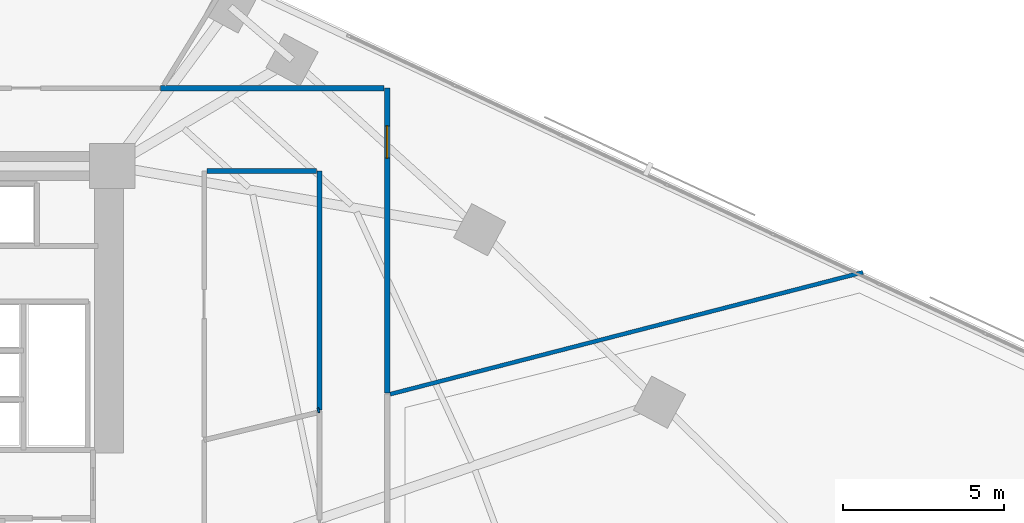
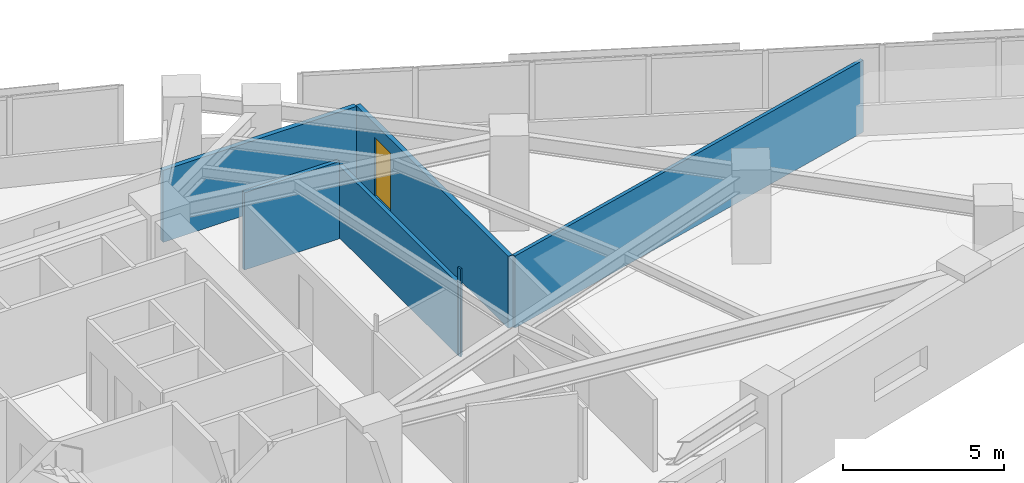
# One storey, part 13 of 16: 6 walls, 1 door, 1 opening.
"""IFC4 building model written with IfcOpenShell, lengths in metres."""

import ifcopenshell
import ifcopenshell.guid

model = None  # the IFC model being written
_history = None  # IfcOwnerHistory: only IFC2X3 demands one
_inside = {}  # id of a spatial element -> (the spatial element, [elements in it])
_under = {}  # id of a project, library or spatial element -> (it, [spatial elements below it])
_declared = {}  # id of a project -> (the project, [libraries it declares])
_typed = {}  # id of a type object -> (the type object, [elements of that type])
_made_of = {}  # id of a material, layer set ... -> (it, [elements and type objects made of it])


def new_model(schema):
    """Start an empty IFC model of exactly this schema.

    Asked for "IFC4X3", IfcOpenShell would pick the latest addendum, in which some entities
    have other attributes; the version numbers below select the first issue.
    IFC2X3 requires an IfcOwnerHistory on every rooted entity: one is made here for all.
    """
    global model, _history
    if schema == "IFC4X3":
        model = ifcopenshell.file(schema_version=(4, 3, 0, 0))
    else:
        model = ifcopenshell.file(schema=schema)
    _inside.clear()
    _under.clear()
    _declared.clear()
    _typed.clear()
    _made_of.clear()
    _history = None
    if model.schema == "IFC2X3":
        org = make("IfcOrganization", Name="unknown")
        user = make(
            "IfcPersonAndOrganization",
            ThePerson=make("IfcPerson", FamilyName="unknown"),
            TheOrganization=org,
        )
        app = make(
            "IfcApplication",
            ApplicationDeveloper=org,
            Version="unknown",
            ApplicationFullName="unknown",
            ApplicationIdentifier="unknown",
        )
        _history = make(
            "IfcOwnerHistory",
            OwningUser=user,
            OwningApplication=app,
            ChangeAction="ADDED",
            CreationDate=0,
        )
    return model


def make(cls, **values):
    """One entity of the class cls with the attributes given. An attribute that is None is left unset."""
    return model.create_entity(
        cls, **{name: value for name, value in values.items() if value is not None}
    )


def rooted(cls, **values):
    """An entity with a GlobalId (a new one), such as an element, a storey or a relation."""
    return make(cls, GlobalId=ifcopenshell.guid.new(), OwnerHistory=_history, **values)


def si_unit(unit_type, name, prefix=None):
    """IfcSIUnit, for example si_unit("LENGTHUNIT", "METRE", prefix="MILLI")."""
    return make("IfcSIUnit", UnitType=unit_type, Prefix=prefix, Name=name)


def assignment(units):
    """IfcUnitAssignment: the units of a project."""
    return None if units is None else make("IfcUnitAssignment", Units=units)


def point(xyz):
    """IfcCartesianPoint."""
    return None if xyz is None else make("IfcCartesianPoint", Coordinates=xyz)


def direction(xyz):
    """IfcDirection."""
    return None if xyz is None else make("IfcDirection", DirectionRatios=xyz)


def frame(location, z_axis=None, x_axis=None):
    """IfcAxis2Placement3D, a coordinate frame: its origin and axes. An axis left out is left unset."""
    return make(
        "IfcAxis2Placement3D",
        Location=point(location),
        Axis=direction(z_axis),
        RefDirection=direction(x_axis),
    )


def frame_2d(location, x_axis=None):
    """IfcAxis2Placement2D, a coordinate frame in the plane: its origin and x axis."""
    return make(
        "IfcAxis2Placement2D", Location=point(location), RefDirection=direction(x_axis)
    )


def origin():
    """The frame at (0, 0, 0) with its axes left unset."""
    return frame((0.0, 0.0, 0.0))


def place(relative_to, where):
    """IfcLocalPlacement: puts the frame where relative to a parent placement (None: the world)."""
    return make(
        "IfcLocalPlacement", PlacementRelTo=relative_to, RelativePlacement=where
    )


def context(
    kind, dimensions, precision=None, world=None, true_north=None, identifier=None
):
    """IfcGeometricRepresentationContext, for example the 3D "Model" context."""
    return make(
        "IfcGeometricRepresentationContext",
        ContextIdentifier=identifier,
        ContextType=kind,
        CoordinateSpaceDimension=dimensions,
        Precision=precision,
        WorldCoordinateSystem=world,
        TrueNorth=true_north,
    )


def subcontext(parent, identifier, kind, view, scale=None):
    """IfcGeometricRepresentationSubContext, for example "Body" below "Model"."""
    return make(
        "IfcGeometricRepresentationSubContext",
        ContextIdentifier=identifier,
        ContextType=kind,
        ParentContext=parent,
        TargetScale=scale,
        TargetView=view,
    )


def project(units=None, contexts=None):
    """IfcProject with its units and contexts."""
    return rooted(
        "IfcProject",
        Name="project",
        RepresentationContexts=contexts,
        UnitsInContext=assignment(units),
    )


def spatial(cls, under=None, at=None, **own):
    """A site, building, storey or space (cls), placed at a placement, below another one or the project."""
    s = rooted(cls, ObjectPlacement=at, **own)
    if under is not None:
        _under.setdefault(under.id(), (under, []))[1].append(s)
    return s


def profile(cls, at=None, kind="AREA", **sizes):
    """A parametric profile (cls). Its sizes go by their IFC names, for example OverallWidth=200.0."""
    return make(cls, ProfileType=kind, Position=at, **sizes)


def rectangle(**sizes):
    """IfcRectangleProfileDef."""
    return profile("IfcRectangleProfileDef", **sizes)


def extrude(swept, where, along, depth):
    """IfcExtrudedAreaSolid: the profile swept, set in the frame where, extruded along a direction by depth."""
    return make(
        "IfcExtrudedAreaSolid",
        SweptArea=swept,
        Position=where,
        ExtrudedDirection=direction(along),
        Depth=depth,
    )


def shape(context_of_items, identifier, shape_type, items):
    """IfcShapeRepresentation: the items that make up one representation, for example the "Body"."""
    return make(
        "IfcShapeRepresentation",
        ContextOfItems=context_of_items,
        RepresentationIdentifier=identifier,
        RepresentationType=shape_type,
        Items=items,
    )


def material(Name=None, Category=None):
    """IfcMaterial."""
    return make("IfcMaterial", Name=Name, Category=Category)


def layer(
    of_material, thickness, ventilated=None, Name=None, Category=None, Priority=None
):
    """IfcMaterialLayer: one layer of a wall or slab, of a material (None: an air gap)."""
    return make(
        "IfcMaterialLayer",
        Material=of_material,
        LayerThickness=thickness,
        IsVentilated=ventilated,
        Name=Name,
        Category=Category,
        Priority=Priority,
    )


def layer_set(layers, Name=None):
    """IfcMaterialLayerSet."""
    return make("IfcMaterialLayerSet", MaterialLayers=layers, LayerSetName=Name)


def made_of(thing, what):
    """Note that an element or type object is made of a material, layer set ...; save() writes the relation."""
    if what is not None:
        _made_of.setdefault(what.id(), (what, []))[1].append(thing)
    return thing


def type_object(cls, material=None, **own):
    """A type object (cls), such as IfcWallType, which elements share."""
    return made_of(rooted(cls, **own), material)


def element(
    cls,
    number,
    at=None,
    inside=None,
    cuts=None,
    type_object=None,
    material=None,
    context=None,
    identifier="Body",
    shape_type=None,
    held_by="IfcProductDefinitionShape",
    body=None,
    shapes=None,
    **own,
):
    """One element of the class cls, such as IfcWall. Its Tag is "e" and its number.

    at: its placement. inside: the storey or other place that contains it. cuts: it is an
    opening in that element (IfcRelVoidsElement). A single representation is given by context,
    identifier, shape_type and body (its items); several are given by shapes. held_by: the class
    of the entity that holds the representations. save() writes the other relations.
    """
    e = rooted(cls, Tag="e%d" % number, ObjectPlacement=at, **own)
    if body is not None:
        shapes = [shape(context, identifier, shape_type, body)]
    if shapes is not None:
        e.Representation = make(held_by, Representations=shapes)
    if inside is not None:
        _inside.setdefault(inside.id(), (inside, []))[1].append(e)
    if cuts is not None:
        rooted(
            "IfcRelVoidsElement", RelatingBuildingElement=cuts, RelatedOpeningElement=e
        )
    if type_object is not None:
        _typed.setdefault(type_object.id(), (type_object, []))[1].append(e)
    return made_of(e, material)


def fill(opening, filler):
    """IfcRelFillsElement: the door or window that sits in an opening."""
    return rooted(
        "IfcRelFillsElement",
        RelatingOpeningElement=opening,
        RelatedBuildingElement=filler,
    )


def aggregate(whole, parts):
    """IfcRelAggregates: a whole, such as a stair, and the parts it consists of."""
    return rooted("IfcRelAggregates", RelatingObject=whole, RelatedObjects=parts)


def save(model, path):
    """Write the relations noted so far, then the file.

    IfcRelAggregates (storeys below a building ...), IfcRelContainedInSpatialStructure (elements
    in a storey), IfcRelDefinesByType, IfcRelAssociatesMaterial and IfcRelDeclares: one each for
    every whole, place, type object, material and project.
    """
    for whole, parts in _under.values():
        aggregate(whole, parts)
    for where, things in _inside.values():
        rooted(
            "IfcRelContainedInSpatialStructure",
            RelatedElements=things,
            RelatingStructure=where,
        )
    for kind, things in _typed.values():
        rooted("IfcRelDefinesByType", RelatedObjects=things, RelatingType=kind)
    for what, things in _made_of.values():
        rooted("IfcRelAssociatesMaterial", RelatedObjects=things, RelatingMaterial=what)
    for by, libraries in _declared.values():
        rooted("IfcRelDeclares", RelatingContext=by, RelatedDefinitions=libraries)
    model.write(path)


model = new_model("IFC4")

# Units and contexts
model_context = context("Model", 3, precision=1e-05, world=origin(), true_north=direction((0.0, 1.0)))
body_context = subcontext(model_context, "Body", "Model", "MODEL_VIEW")
ifc_project = project(units=[si_unit("LENGTHUNIT", "METRE"), si_unit("AREAUNIT", "SQUARE_METRE"), si_unit("VOLUMEUNIT", "CUBIC_METRE"), si_unit("PLANEANGLEUNIT", "RADIAN"), si_unit("MASSUNIT", "GRAM", prefix="KILO")], contexts=[model_context])

# Site, building, storey
site_placement = place(None, origin())
site = spatial("IfcSite", under=ifc_project, at=site_placement, CompositionType="ELEMENT")
building_placement = place(site_placement, origin())
building = spatial("IfcBuilding", under=site, at=building_placement, Name="Narakoshi Arena Tower", CompositionType="ELEMENT")
storey_placement = place(building_placement, frame((0.0, 0.0, 150.300048828125)))
storey = spatial("IfcBuildingStorey", under=building, at=storey_placement, Name="L40", CompositionType="ELEMENT", Elevation=150.300048828125)

# Wall, opening, door
ifc_material_1 = material(Name="Gypsum plasterboard fire-rated partition")
ifc_layer_1 = layer(ifc_material_1, 0.1650390625)
ifc_layer_set_1 = layer_set([ifc_layer_1], Name="Gypsum plasterboard fire-rated partition")
wall_type_1 = type_object("IfcWallType", Name="WL-CORR-165", PredefinedType="PARTITIONING", material=ifc_layer_set_1)
wall_1_placement = place(storey_placement, frame((94.07373046875, 49.462890625, 0.0), z_axis=(0.0, 0.0, 1.0), x_axis=(0.0, 1.0, 0.0)))
wall_1 = element("IfcWall", 1, at=wall_1_placement, inside=storey, type_object=wall_type_1, Name="L40 Corridor Partition 04-1", PredefinedType="PARTITIONING", context=body_context, shape_type="SweptSolid", body=[
    extrude(rectangle(XDim=9.4560546875, YDim=0.1650390625, at=frame_2d((4.72802734375, 0.0))), origin(), (0.0, 0.0, 1.0), 2.724853515625),
])
opening_placement = place(wall_1_placement, frame((7.289306640625, 0.0, 0.0)))
opening = element("IfcOpeningElement", 2, at=opening_placement, cuts=wall_1, Name="Opening D-06", PredefinedType="OPENING", context=body_context, shape_type="SweptSolid", body=[
    extrude(rectangle(XDim=1.0, YDim=2.199951171875, at=frame_2d((0.5, 1.10009765625))), frame((0.0, 0.092529296875, 0.0), z_axis=(0.0, -1.0, 0.0), x_axis=(1.0, 0.0, 0.0)), (0.0, 0.0, 1.0), 0.18505859375),
])
ifc_material_2 = material(Name="Stained oak solid-core timber", Category="wood")
door_type = type_object("IfcDoorType", Name="DR-OFF-1000", OperationType="NOTDEFINED", PredefinedType="DOOR", material=ifc_material_2)
door_placement = place(opening_placement, frame((1.0, 0.0, 0.0), z_axis=(0.0, 0.0, 1.0), x_axis=(-1.0, 0.0, 0.0)))
door = element("IfcDoor", 3, at=door_placement, inside=storey, type_object=door_type, Name="DR-L40-018", OperationType="SINGLE_SWING_LEFT", OverallHeight=2.199951171875, OverallWidth=1.0, PredefinedType="DOOR", context=body_context, shape_type="SweptSolid", body=[
    extrude(rectangle(XDim=1.0, YDim=2.199951171875, at=frame_2d((0.5, 1.10009765625))), frame((0.0, 0.02490234375, 0.0), z_axis=(0.0, -1.0, 0.0), x_axis=(1.0, 0.0, 0.0)), (0.0, 0.0, 1.0), 0.050048828125),
])
fill(opening, door)

# Walls
wall_2_placement = place(storey_placement, frame((93.979248046875, 58.9189453125, 0.0), z_axis=(0.0, 0.0, 1.0), x_axis=(-1.0, 0.0, 0.0)))
element("IfcWall", 4, at=wall_2_placement, inside=storey, type_object=wall_type_1, Name="L40 Corridor Partition 04-2", PredefinedType="PARTITIONING", context=body_context, shape_type="SweptSolid", body=[
    extrude(rectangle(XDim=6.931884765625, YDim=0.1650390625, at=frame_2d((3.4658203125, 0.0))), origin(), (0.0, 0.0, 1.0), 2.724853515625),
])
ifc_layer_2 = layer(ifc_material_1, 0.125)
ifc_layer_set_2 = layer_set([ifc_layer_2], Name="Gypsum plasterboard fire-rated partition")
wall_type_2 = type_object("IfcWallType", Name="WL-PART-125", PredefinedType="PARTITIONING", material=ifc_layer_set_2)
wall_3_placement = place(storey_placement, frame((94.168212890625, 49.427490234375, 0.0), z_axis=(0.0, 0.0, 1.0), x_axis=(0.968327143574, 0.249684887445, 0.0)))
element("IfcWall", 5, at=wall_3_placement, inside=storey, type_object=wall_type_2, Name="L40 Inter-Room Partition 03-04", PredefinedType="PARTITIONING", context=body_context, shape_type="SweptSolid", body=[
    extrude(rectangle(XDim=15.14013671875, YDim=0.125, at=frame_2d((7.570068359375, 0.0))), origin(), (0.0, 0.0, 1.0), 2.724853515625),
])
ifc_material_3 = material(Name="Moisture-resistant cement-board partition")
ifc_layer_3 = layer(ifc_material_3, 0.14501953125)
ifc_layer_set_3 = layer_set([ifc_layer_3], Name="Moisture-resistant cement-board partition")
wall_type_3 = type_object("IfcWallType", Name="WL-WET-145", PredefinedType="PARTITIONING", material=ifc_layer_set_3)
wall_4_placement = place(storey_placement, frame((91.9736328125, 56.35009765625, 0.0), z_axis=(0.0, 0.0, 1.0), x_axis=(0.0, -1.0, 0.0)))
element("IfcWall", 6, at=wall_4_placement, inside=storey, type_object=wall_type_3, Name="L40 Corridor Partition 05-2", PredefinedType="PARTITIONING", context=body_context, shape_type="SweptSolid", body=[
    extrude(rectangle(XDim=7.41650390625, YDim=0.14501953125, at=frame_2d((3.708251953125, 0.0))), origin(), (0.0, 0.0, 1.0), 2.724853515625),
])
wall_5_placement = place(storey_placement, frame((88.484619140625, 56.35009765625, 0.0), z_axis=(0.0, 0.0, 1.0), x_axis=(1.0, 0.0, 0.0)))
element("IfcWall", 7, at=wall_5_placement, inside=storey, type_object=wall_type_3, Name="L40 Corridor Partition 05-3", PredefinedType="PARTITIONING", context=body_context, shape_type="SweptSolid", body=[
    extrude(rectangle(XDim=3.404541015625, YDim=0.14501953125, at=frame_2d((1.7021484375, 0.0))), origin(), (0.0, 0.0, 1.0), 2.925048828125),
])
wall_6_placement = place(storey_placement, frame((91.9736328125, 48.93359375, 0.0), z_axis=(0.0, 0.0, 1.0), x_axis=(-0.969440203112, -0.245327724869, 0.0)))
element("IfcWall", 8, at=wall_6_placement, inside=storey, type_object=wall_type_3, Name="L40 Corridor Partition 05-4", PredefinedType="PARTITIONING", context=body_context, shape_type="SweptSolid", body=[
    extrude(rectangle(XDim=0.061767578125, YDim=0.14501953125, at=frame_2d((0.03076171875, 0.0))), origin(), (0.0, 0.0, 1.0), 3.33984375),
])

save(model, "model.ifc")
